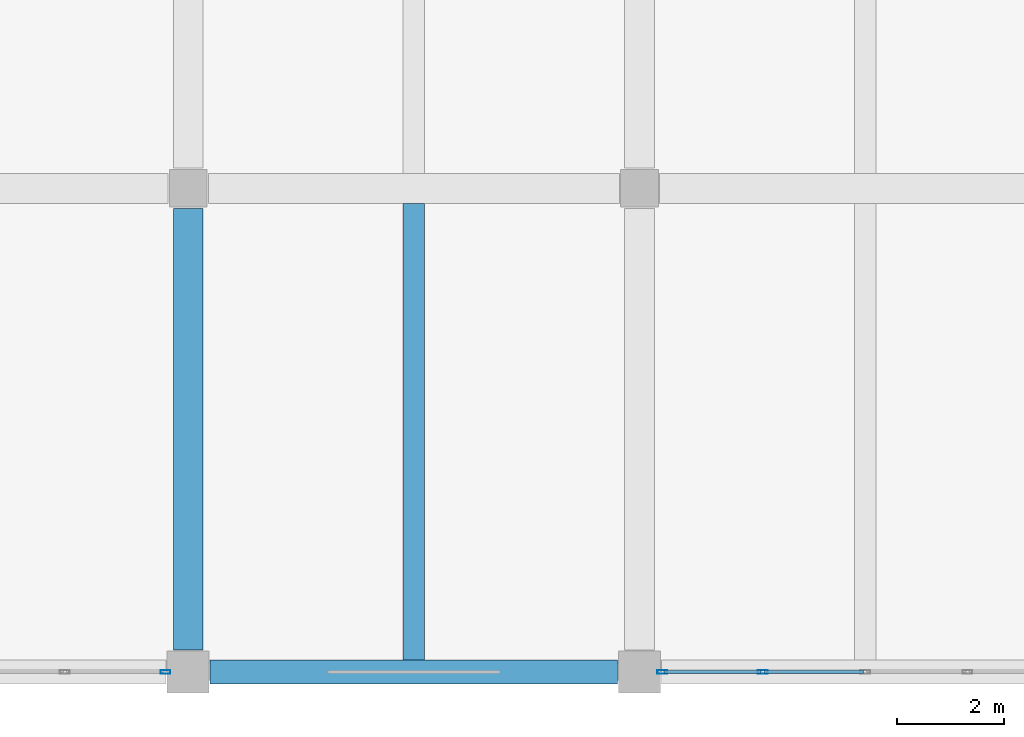
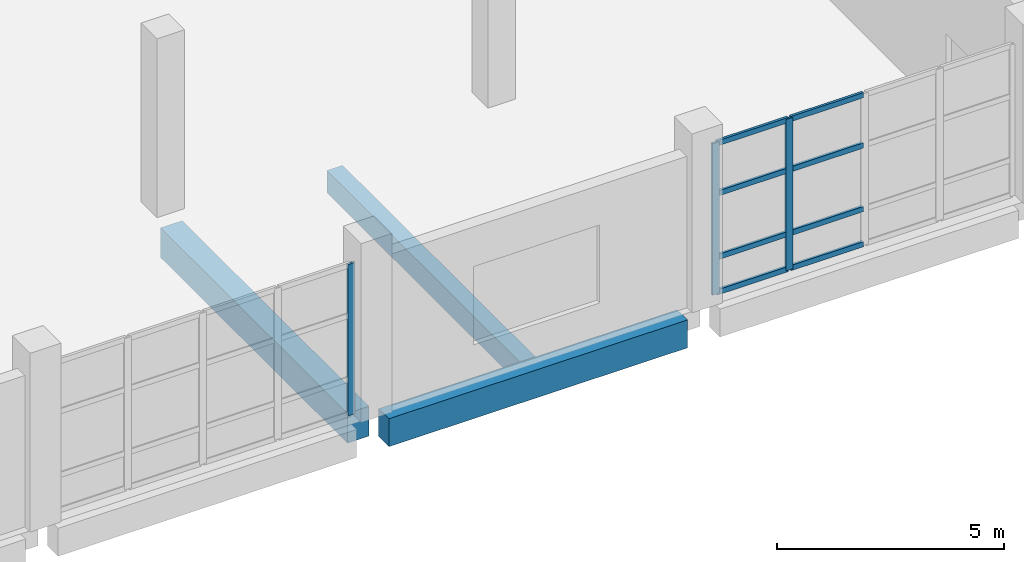
# One storey, part 6 of 91: 11 members, 3 beams, 2 elements without a shape of their own.
"""IFC4 building model written with IfcOpenShell, lengths in metres."""

from ifc_helpers import new_model, si_unit, direction, frame, origin, origin_2d, place, context, subcontext, project, spatial, rectangle, hollow_rectangle, extrude, material, material_profile, profile_set, type_object, element, aggregate, save


model = new_model("IFC4")

# Units and contexts
model_context = context("Model", 3, precision=1e-05, world=origin(), true_north=direction((0.0, 1.0)))
body_context = subcontext(model_context, "Body", "Model", "MODEL_VIEW")
ifc_project = project(units=[si_unit("LENGTHUNIT", "METRE"), si_unit("AREAUNIT", "SQUARE_METRE"), si_unit("VOLUMEUNIT", "CUBIC_METRE"), si_unit("PLANEANGLEUNIT", "RADIAN"), si_unit("MASSUNIT", "GRAM", prefix="KILO")], contexts=[model_context])

# Site, building, storey
site_placement = place(None, origin())
site = spatial("IfcSite", under=ifc_project, at=site_placement, CompositionType="ELEMENT")
building_placement = place(site_placement, origin())
building = spatial("IfcBuilding", under=site, at=building_placement, Name="Pellamere Symphony Hall", CompositionType="ELEMENT")
storey_placement = place(building_placement, frame((0.0, 0.0, 5.39990234375)))
storey = spatial("IfcBuildingStorey", under=building, at=storey_placement, Name="L01", CompositionType="ELEMENT", Elevation=5.39990234375)

# Curtain wall, member
ifc_material_1 = material(Name="Thermally Broken Anodised Aluminium 6063-T6 Curtain Wall", Category="aluminium")
curtain_wall_type = type_object("IfcCurtainWallType", Name="Curtain Wall CW-04 (Chamber Music Lobby Curtain Wall)", PredefinedType="NOTDEFINED", material=ifc_material_1)
curtain_wall_1_placement = place(storey_placement, origin())
curtain_wall_1 = element("IfcCurtainWall", 1, at=curtain_wall_1_placement, inside=storey, type_object=curtain_wall_type, Name="Chamber Lobby South Curtain Wall (L01 Bay 1)", PredefinedType="NOTDEFINED")
ifc_material_2 = material(Name="Anodised Architectural Aluminium 6063-T6", Category="aluminium")
ifc_material_profile_1 = material_profile(ifc_material_2, hollow_rectangle(XDim=0.06494140625, YDim=0.179931640625, WallThickness=0.00390625, at=origin_2d()), Name="ALU-M65X180X4")
ifc_profile_set_1 = profile_set([ifc_material_profile_1], Name="Anodised Architectural Aluminium 6063-T6")
member_type_1 = type_object("IfcMemberType", Name="Curtain Wall Mullion ML-02 ALU-M65X180X4", PredefinedType="MULLION", material=ifc_profile_set_1)
member_1_placement = place(storey_placement, frame((16.37744140625, 0.0, 0.0), z_axis=(0.0, 0.0, 1.0), x_axis=(0.0, 1.0, 0.0)))
member_1 = element("IfcMember", 2, at=member_1_placement, type_object=member_type_1, Name="CW4-114 crystal mullion 5", PredefinedType="MULLION", context=body_context, shape_type="SweptSolid", body=[
    extrude(hollow_rectangle(XDim=0.06494140625, YDim=0.179931640625, WallThickness=0.00390625, at=origin_2d()), origin(), (0.0, 0.0, 1.0), 4.064208984375),
])
aggregate(curtain_wall_1, [member_1])

# Curtain wall, members
curtain_wall_2_placement = place(storey_placement, origin())
curtain_wall_2 = element("IfcCurtainWall", 3, at=curtain_wall_2_placement, inside=storey, type_object=curtain_wall_type, Name="Chamber Lobby South Curtain Wall (L01 Bay 2)", PredefinedType="NOTDEFINED")
member_2_placement = place(storey_placement, frame((25.62255859375, 0.0, 0.0), z_axis=(0.0, 0.0, 1.0), x_axis=(0.0, 1.0, 0.0)))
member_2 = element("IfcMember", 4, at=member_2_placement, type_object=member_type_1, Name="CW4-115 crystal mullion 1", PredefinedType="MULLION", context=body_context, shape_type="SweptSolid", body=[
    extrude(hollow_rectangle(XDim=0.06494140625, YDim=0.179931640625, WallThickness=0.00390625, at=origin_2d()), origin(), (0.0, 0.0, 1.0), 4.064208984375),
])
member_3_placement = place(storey_placement, frame((27.4951171875, 0.0, 0.0), z_axis=(0.0, 0.0, 1.0), x_axis=(0.0, 1.0, 0.0)))
member_3 = element("IfcMember", 5, at=member_3_placement, type_object=member_type_1, Name="CW4-115 crystal mullion 2", PredefinedType="MULLION", context=body_context, shape_type="SweptSolid", body=[
    extrude(hollow_rectangle(XDim=0.06494140625, YDim=0.179931640625, WallThickness=0.00390625, at=origin_2d()), origin(), (0.0, 0.0, 1.0), 4.064208984375),
])
ifc_material_profile_2 = material_profile(ifc_material_2, hollow_rectangle(XDim=0.06494140625, YDim=0.139892578125, WallThickness=0.00390625, at=origin_2d()), Name="ALU-T65X140X4")
ifc_profile_set_2 = profile_set([ifc_material_profile_2], Name="Anodised Architectural Aluminium 6063-T6")
member_type_2 = type_object("IfcMemberType", Name="Curtain Wall Transom TR-02 ALU-T65X140X4", PredefinedType="USERDEFINED", material=ifc_profile_set_2)
member_4_placement = place(storey_placement, frame((25.655029296875, 0.0, 0.03271484375), z_axis=(1.0, 0.0, 0.0), x_axis=(0.0, 1.0, 0.0)))
member_4 = element("IfcMember", 6, at=member_4_placement, type_object=member_type_2, Name="CW4-115 crystal transom 1.1", ObjectType="TRANSOM", PredefinedType="USERDEFINED", context=body_context, shape_type="SweptSolid", body=[
    extrude(hollow_rectangle(XDim=0.06494140625, YDim=0.139892578125, WallThickness=0.00390625, at=origin_2d()), origin(), (0.0, 0.0, 1.0), 1.807373046875),
])
member_5_placement = place(storey_placement, frame((25.655029296875, 0.0, 0.975341796875), z_axis=(1.0, 0.0, 0.0), x_axis=(0.0, 1.0, 0.0)))
member_5 = element("IfcMember", 7, at=member_5_placement, type_object=member_type_2, Name="CW4-115 crystal transom 1.2", ObjectType="TRANSOM", PredefinedType="USERDEFINED", context=body_context, shape_type="SweptSolid", body=[
    extrude(hollow_rectangle(XDim=0.06494140625, YDim=0.139892578125, WallThickness=0.00390625, at=origin_2d()), origin(), (0.0, 0.0, 1.0), 1.807373046875),
])
member_6_placement = place(storey_placement, frame((25.655029296875, 0.0, 2.682373046875), z_axis=(1.0, 0.0, 0.0), x_axis=(0.0, 1.0, 0.0)))
member_6 = element("IfcMember", 8, at=member_6_placement, type_object=member_type_2, Name="CW4-115 crystal transom 1.3", ObjectType="TRANSOM", PredefinedType="USERDEFINED", context=body_context, shape_type="SweptSolid", body=[
    extrude(hollow_rectangle(XDim=0.06494140625, YDim=0.139892578125, WallThickness=0.00390625, at=origin_2d()), origin(), (0.0, 0.0, 1.0), 1.807373046875),
])
member_7_placement = place(storey_placement, frame((25.655029296875, 0.0, 4.031494140625), z_axis=(1.0, 0.0, 0.0), x_axis=(0.0, 1.0, 0.0)))
member_7 = element("IfcMember", 9, at=member_7_placement, type_object=member_type_2, Name="CW4-115 crystal transom 1.4", ObjectType="TRANSOM", PredefinedType="USERDEFINED", context=body_context, shape_type="SweptSolid", body=[
    extrude(hollow_rectangle(XDim=0.06494140625, YDim=0.139892578125, WallThickness=0.00390625, at=origin_2d()), origin(), (0.0, 0.0, 1.0), 1.807373046875),
])
member_8_placement = place(storey_placement, frame((27.527587890625, 0.0, 0.03271484375), z_axis=(1.0, 0.0, 0.0), x_axis=(0.0, 1.0, 0.0)))
member_8 = element("IfcMember", 10, at=member_8_placement, type_object=member_type_2, Name="CW4-115 crystal transom 2.1", ObjectType="TRANSOM", PredefinedType="USERDEFINED", context=body_context, shape_type="SweptSolid", body=[
    extrude(hollow_rectangle(XDim=0.06494140625, YDim=0.139892578125, WallThickness=0.00390625, at=origin_2d()), origin(), (0.0, 0.0, 1.0), 1.83984375),
])
member_9_placement = place(storey_placement, frame((27.527587890625, 0.0, 0.975341796875), z_axis=(1.0, 0.0, 0.0), x_axis=(0.0, 1.0, 0.0)))
member_9 = element("IfcMember", 11, at=member_9_placement, type_object=member_type_2, Name="CW4-115 crystal transom 2.2", ObjectType="TRANSOM", PredefinedType="USERDEFINED", context=body_context, shape_type="SweptSolid", body=[
    extrude(hollow_rectangle(XDim=0.06494140625, YDim=0.139892578125, WallThickness=0.00390625, at=origin_2d()), origin(), (0.0, 0.0, 1.0), 1.83984375),
])
member_10_placement = place(storey_placement, frame((27.527587890625, 0.0, 2.682373046875), z_axis=(1.0, 0.0, 0.0), x_axis=(0.0, 1.0, 0.0)))
member_10 = element("IfcMember", 12, at=member_10_placement, type_object=member_type_2, Name="CW4-115 crystal transom 2.3", ObjectType="TRANSOM", PredefinedType="USERDEFINED", context=body_context, shape_type="SweptSolid", body=[
    extrude(hollow_rectangle(XDim=0.06494140625, YDim=0.139892578125, WallThickness=0.00390625, at=origin_2d()), origin(), (0.0, 0.0, 1.0), 1.83984375),
])
member_11_placement = place(storey_placement, frame((27.527587890625, 0.0, 4.031494140625), z_axis=(1.0, 0.0, 0.0), x_axis=(0.0, 1.0, 0.0)))
member_11 = element("IfcMember", 13, at=member_11_placement, type_object=member_type_2, Name="CW4-115 crystal transom 2.4", ObjectType="TRANSOM", PredefinedType="USERDEFINED", context=body_context, shape_type="SweptSolid", body=[
    extrude(hollow_rectangle(XDim=0.06494140625, YDim=0.139892578125, WallThickness=0.00390625, at=origin_2d()), origin(), (0.0, 0.0, 1.0), 1.83984375),
])
aggregate(curtain_wall_2, [member_2, member_3, member_4, member_5, member_6, member_7, member_8, member_9, member_10, member_11])

# Beams
ifc_material_3 = material(Name="Concrete 40 MPa", Category="concrete")
ifc_material_profile_3 = material_profile(ifc_material_3, rectangle(XDim=0.550048828125, YDim=0.800048828125, at=origin_2d()), Name="RC 550x800")
ifc_profile_set_3 = profile_set([ifc_material_profile_3], Name="Concrete 40 MPa")
beam_type_1 = type_object("IfcBeamType", Name="RC CB-05 550x800", PredefinedType="BEAM", material=ifc_profile_set_3)
beam_1_placement = place(storey_placement, frame((16.800048828125, 0.409912109375, -0.679931640625), z_axis=(0.0, 1.0, 0.0), x_axis=(-1.0, 0.0, 0.0)))
element("IfcBeam", 14, at=beam_1_placement, inside=storey, type_object=beam_type_1, Name="Girder CB-05-Y0726 (L01)", PredefinedType="BEAM", context=body_context, shape_type="SweptSolid", body=[
    extrude(rectangle(XDim=0.550048828125, YDim=0.800048828125, at=origin_2d()), origin(), (0.0, 0.0, 1.0), 8.215087890625),
])
ifc_material_profile_4 = material_profile(ifc_material_3, rectangle(XDim=0.39990234375, YDim=0.60009765625, at=origin_2d()), Name="RC 400x600")
ifc_profile_set_4 = profile_set([ifc_material_profile_4], Name="Concrete 40 MPa")
beam_type_2 = type_object("IfcBeamType", Name="RC CB-09 400x600", PredefinedType="BEAM", material=ifc_profile_set_4)
beam_2_placement = place(storey_placement, frame((21.0, 0.22509765625, -0.594970703125), z_axis=(0.0, 1.0, 0.0), x_axis=(-1.0, 0.0, 0.0)))
element("IfcBeam", 15, at=beam_2_placement, inside=storey, type_object=beam_type_2, Name="Secondary Floor Beam CB-09-M0200 (L01)", PredefinedType="BEAM", context=body_context, shape_type="SweptSolid", body=[
    extrude(rectangle(XDim=0.39990234375, YDim=0.60009765625, at=origin_2d()), origin(), (0.0, 0.0, 1.0), 8.494873046875),
])
ifc_material_profile_5 = material_profile(ifc_material_3, rectangle(XDim=0.449951171875, YDim=0.75, at=origin_2d()), Name="RC 450x750")
ifc_profile_set_5 = profile_set([ifc_material_profile_5], Name="Concrete 40 MPa")
beam_type_3 = type_object("IfcBeamType", Name="RC CB-12 450x750", PredefinedType="SPANDREL", material=ifc_profile_set_5)
beam_3_placement = place(storey_placement, frame((17.2099609375, 0.0, -0.65478515625), z_axis=(1.0, 0.0, 0.0), x_axis=(0.0, 1.0, 0.0)))
element("IfcBeam", 16, at=beam_3_placement, inside=storey, type_object=beam_type_3, Name="Girder CB-12-X0535 (L01)", PredefinedType="SPANDREL", context=body_context, shape_type="SweptSolid", body=[
    extrude(rectangle(XDim=0.449951171875, YDim=0.75, at=origin_2d()), origin(), (0.0, 0.0, 1.0), 7.580078125),
])

save(model, "model.ifc")
